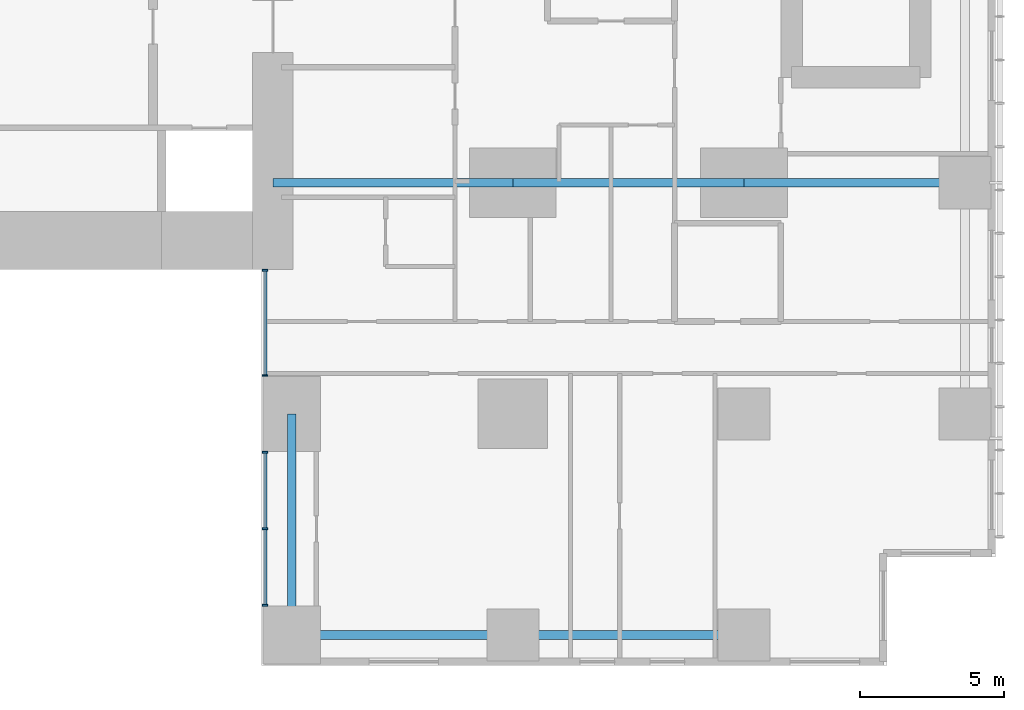
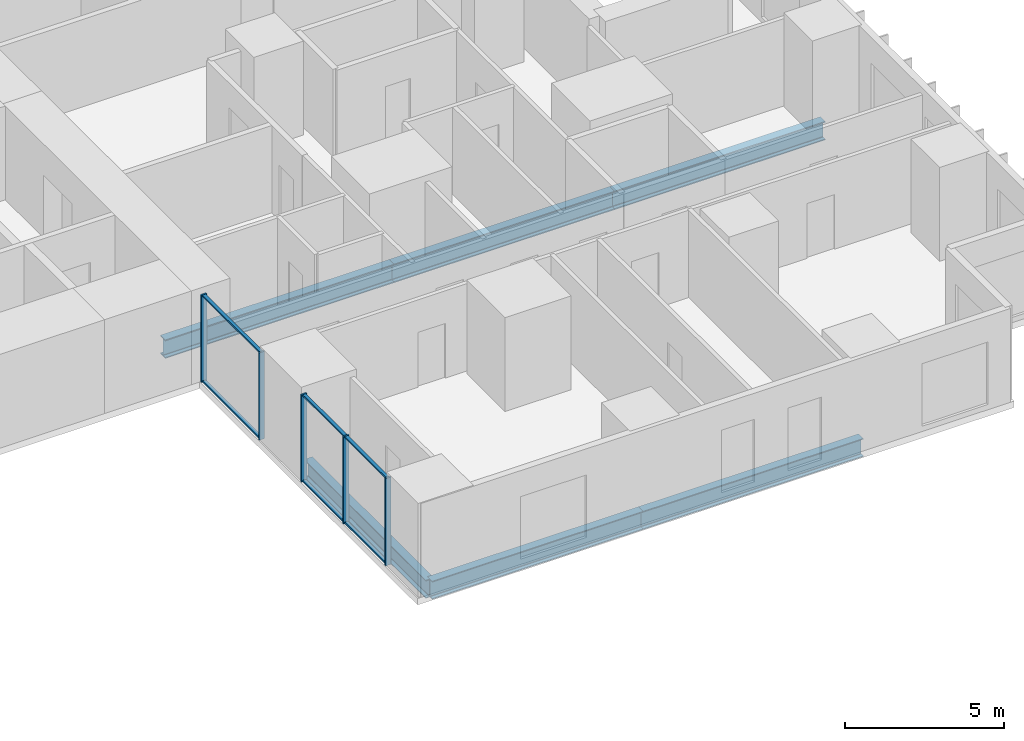
# One storey, part 3 of 20: 11 members, 6 beams, 2 elements without a shape of their own.
"""IFC4 building model written with IfcOpenShell, lengths in metres."""

from ifc_helpers import new_model, si_unit, direction, frame, origin, origin_2d, place, context, subcontext, project, spatial, rectangle, i_section, extrude, material, layer, layer_set, material_profile, profile_set, type_object, element, aggregate, save


model = new_model("IFC4")

# Units and contexts
model_context = context("Model", 3, precision=1e-05, world=origin(), true_north=direction((0.0, 1.0)))
body_context = subcontext(model_context, "Body", "Model", "MODEL_VIEW")
ifc_project = project(units=[si_unit("LENGTHUNIT", "METRE"), si_unit("AREAUNIT", "SQUARE_METRE"), si_unit("VOLUMEUNIT", "CUBIC_METRE"), si_unit("PLANEANGLEUNIT", "RADIAN"), si_unit("MASSUNIT", "GRAM", prefix="KILO")], contexts=[model_context])

# Site, building, storey
site_placement = place(None, origin())
site = spatial("IfcSite", under=ifc_project, at=site_placement, CompositionType="ELEMENT")
building_placement = place(site_placement, origin())
building = spatial("IfcBuilding", under=site, at=building_placement, Name="Cleftline Residences", CompositionType="ELEMENT")
storey_placement = place(building_placement, frame((0.0, 0.0, 189.39990234375)))
storey = spatial("IfcBuildingStorey", under=building, at=storey_placement, Name="L49", CompositionType="ELEMENT", Elevation=189.39990234375)

# Beams
ifc_material_1 = material(Name="Steel S355", Category="steel")
ifc_material_profile_1 = material_profile(ifc_material_1, i_section(OverallWidth=0.300048828125, OverallDepth=0.699951171875, WebThickness=0.01708984375, FlangeThickness=0.031982421875, FilletRadius=0.027099609375, at=origin_2d()))
ifc_profile_set_1 = profile_set([ifc_material_profile_1], Name="Steel S355")
beam_type_1 = type_object("IfcBeamType", Name="BEAM HEB 700", PredefinedType="BEAM", material=ifc_profile_set_1)
beam_1_placement = place(storey_placement, frame((58.0, 0.35009765625, -0.599853515625), z_axis=(-1.0, 0.0, 0.0), x_axis=(0.0, -1.0, 0.0)))
element("IfcBeam", 1, at=beam_1_placement, inside=storey, type_object=beam_type_1, Name="Edge beam", PredefinedType="BEAM", context=body_context, shape_type="SweptSolid", body=[
    extrude(i_section(OverallWidth=0.300048828125, OverallDepth=0.699951171875, WebThickness=0.01708984375, FlangeThickness=0.031982421875, FilletRadius=0.027099609375, at=origin_2d()), origin(), (0.0, 0.0, 1.0), 8.0),
])
for number, where, z_axis, x_axis, name in (
    (2, (50.0, 0.35009765625, -0.599853515625), (-1.0, 0.0, 0.0), (0.0, -1.0, 0.0), "Edge beam"),
    (3, (42.35009765625, 0.35009765625, -0.599853515625), (0.0, 1.0, 0.0), (-1.0, 0.0, 0.0), "Edge beam"),
):
    element("IfcBeam", number, at=place(storey_placement, frame(where, z_axis=z_axis, x_axis=x_axis)), inside=storey, type_object=beam_type_1, Name=name, PredefinedType="BEAM", context=body_context, shape_type="SweptSolid", body=[
        extrude(i_section(OverallWidth=0.300048828125, OverallDepth=0.699951171875, WebThickness=0.01708984375, FlangeThickness=0.031982421875, FilletRadius=0.027099609375, at=origin_2d()), origin(), (0.0, 0.0, 1.0), 7.64990234375),
    ])
ifc_material_2 = material(Name="Steel S355", Category="steel")
ifc_material_profile_2 = material_profile(ifc_material_2, i_section(OverallWidth=0.303955078125, OverallDepth=0.716064453125, WebThickness=0.02099609375, FlangeThickness=0.0400390625, FilletRadius=0.027099609375, at=origin_2d()))
ifc_profile_set_2 = profile_set([ifc_material_profile_2], Name="Steel S355")
beam_type_2 = type_object("IfcBeamType", Name="BEAM HEM 700", PredefinedType="BEAM", material=ifc_profile_set_2)
beam_2_placement = place(storey_placement, frame((65.64990234375, 16.0, -0.60791015625), z_axis=(-1.0, 0.0, 0.0), x_axis=(0.0, -1.0, 0.0)))
element("IfcBeam", 4, at=beam_2_placement, inside=storey, type_object=beam_type_2, Name="Band beam", PredefinedType="BEAM", context=body_context, shape_type="SweptSolid", body=[
    extrude(i_section(OverallWidth=0.303955078125, OverallDepth=0.716064453125, WebThickness=0.02099609375, FlangeThickness=0.0400390625, FilletRadius=0.027099609375, at=origin_2d()), origin(), (0.0, 0.0, 1.0), 7.64990234375),
])
beam_3_placement = place(storey_placement, frame((58.0, 16.0, -0.60791015625), z_axis=(-1.0, 0.0, 0.0), x_axis=(0.0, -1.0, 0.0)))
element("IfcBeam", 5, at=beam_3_placement, inside=storey, type_object=beam_type_2, Name="Band beam", PredefinedType="BEAM", context=body_context, shape_type="SweptSolid", body=[
    extrude(i_section(OverallWidth=0.303955078125, OverallDepth=0.716064453125, WebThickness=0.02099609375, FlangeThickness=0.0400390625, FilletRadius=0.027099609375, at=origin_2d()), origin(), (0.0, 0.0, 1.0), 8.0),
])
beam_4_placement = place(storey_placement, frame((50.0, 16.0, -0.60791015625), z_axis=(-1.0, 0.0, 0.0), x_axis=(0.0, -1.0, 0.0)))
element("IfcBeam", 6, at=beam_4_placement, inside=storey, type_object=beam_type_2, Name="Band beam", PredefinedType="BEAM", context=body_context, shape_type="SweptSolid", body=[
    extrude(i_section(OverallWidth=0.303955078125, OverallDepth=0.716064453125, WebThickness=0.02099609375, FlangeThickness=0.0400390625, FilletRadius=0.027099609375, at=origin_2d()), origin(), (0.0, 0.0, 1.0), 8.300048828125),
])

# Curtain wall, members
ifc_material_3 = material(Name="Aluminium framed curtain wall", Category="aluminium")
ifc_layer = layer(ifc_material_3, 0.199951171875)
ifc_layer_set = layer_set([ifc_layer], Name="CW1 CLEFT GLAZING")
curtain_wall_type = type_object("IfcCurtainWallType", Name="CW1 CLEFT GLAZING", PredefinedType="NOTDEFINED", material=ifc_layer_set)
curtain_wall_1_placement = place(storey_placement, origin())
curtain_wall_1 = element("IfcCurtainWall", 7, at=curtain_wall_1_placement, inside=storey, type_object=curtain_wall_type, Name="Curtain wall CW1", PredefinedType="NOTDEFINED")
ifc_material_4 = material(Name="Aluminium mullion", Category="aluminium")
ifc_material_profile_3 = material_profile(ifc_material_4, rectangle(XDim=0.199951171875, YDim=0.06005859375, at=origin_2d()))
ifc_profile_set_3 = profile_set([ifc_material_profile_3], Name="Aluminium mullion")
member_type_1 = type_object("IfcMemberType", Name="CW1 MULLION", PredefinedType="MULLION", material=ifc_profile_set_3)
member_1_placement = place(storey_placement, frame((41.425048828125, 12.969970703125, 0.0), z_axis=(0.0, 0.0, 1.0), x_axis=(1.0, 0.0, 0.0)))
member_1 = element("IfcMember", 8, at=member_1_placement, type_object=member_type_1, Name="CW1 mullion 1", PredefinedType="MULLION", context=body_context, shape_type="SweptSolid", body=[
    extrude(rectangle(XDim=0.199951171875, YDim=0.06005859375, at=origin_2d()), origin(), (0.0, 0.0, 1.0), 3.35009765625),
])
member_2_placement = place(storey_placement, frame((41.425048828125, 9.330078125, 0.0), z_axis=(0.0, 0.0, 1.0), x_axis=(1.0, 0.0, 0.0)))
member_2 = element("IfcMember", 9, at=member_2_placement, type_object=member_type_1, Name="CW1 mullion 2", PredefinedType="MULLION", context=body_context, shape_type="SweptSolid", body=[
    extrude(rectangle(XDim=0.199951171875, YDim=0.06005859375, at=origin_2d()), origin(), (0.0, 0.0, 1.0), 3.35009765625),
])

curtain_wall_2_placement = place(storey_placement, origin())
curtain_wall_2 = element("IfcCurtainWall", 10, at=curtain_wall_2_placement, inside=storey, type_object=curtain_wall_type, Name="Curtain wall CW1", PredefinedType="NOTDEFINED")
member_3_placement = place(storey_placement, frame((41.425048828125, 6.669921875, 0.0), z_axis=(0.0, 0.0, 1.0), x_axis=(1.0, 0.0, 0.0)))
member_3 = element("IfcMember", 11, at=member_3_placement, type_object=member_type_1, Name="CW1 mullion 1", PredefinedType="MULLION", context=body_context, shape_type="SweptSolid", body=[
    extrude(rectangle(XDim=0.199951171875, YDim=0.06005859375, at=origin_2d()), origin(), (0.0, 0.0, 1.0), 3.35009765625),
])
member_4_placement = place(storey_placement, frame((41.425048828125, 4.02490234375, 0.0), z_axis=(0.0, 0.0, 1.0), x_axis=(1.0, 0.0, 0.0)))
member_4 = element("IfcMember", 12, at=member_4_placement, type_object=member_type_1, Name="CW1 mullion 2", PredefinedType="MULLION", context=body_context, shape_type="SweptSolid", body=[
    extrude(rectangle(XDim=0.199951171875, YDim=0.06005859375, at=origin_2d()), origin(), (0.0, 0.0, 1.0), 3.35009765625),
])
member_5_placement = place(storey_placement, frame((41.425048828125, 1.3798828125, 0.0), z_axis=(0.0, 0.0, 1.0), x_axis=(1.0, 0.0, 0.0)))
member_5 = element("IfcMember", 13, at=member_5_placement, type_object=member_type_1, Name="CW1 mullion 3", PredefinedType="MULLION", context=body_context, shape_type="SweptSolid", body=[
    extrude(rectangle(XDim=0.199951171875, YDim=0.06005859375, at=origin_2d()), origin(), (0.0, 0.0, 1.0), 3.35009765625),
])

# Member
ifc_material_5 = material(Name="Aluminium transom", Category="aluminium")
ifc_material_profile_4 = material_profile(ifc_material_5, rectangle(XDim=0.1201171875, YDim=0.06005859375, at=origin_2d()))
ifc_profile_set_4 = profile_set([ifc_material_profile_4], Name="Aluminium transom")
member_type_2 = type_object("IfcMemberType", Name="CW1 TRANSOM", PredefinedType="USERDEFINED", material=ifc_profile_set_4)
member_6_placement = place(storey_placement, frame((41.425048828125, 12.93994140625, 0.030029296875), z_axis=(0.0, -1.0, 0.0), x_axis=(1.0, 0.0, 0.0)))
member_6 = element("IfcMember", 14, at=member_6_placement, type_object=member_type_2, Name="CW1 transom 1.1", ObjectType="TRANSOM", PredefinedType="USERDEFINED", context=body_context, shape_type="SweptSolid", body=[
    extrude(rectangle(XDim=0.1201171875, YDim=0.06005859375, at=origin_2d()), origin(), (0.0, 0.0, 1.0), 3.579833984375),
])

member_7_placement = place(storey_placement, frame((41.425048828125, 12.93994140625, 3.320068359375), z_axis=(0.0, -1.0, 0.0), x_axis=(1.0, 0.0, 0.0)))
member_7 = element("IfcMember", 15, at=member_7_placement, type_object=member_type_2, Name="CW1 transom 1.2", ObjectType="TRANSOM", PredefinedType="USERDEFINED", context=body_context, shape_type="SweptSolid", body=[
    extrude(rectangle(XDim=0.1201171875, YDim=0.06005859375, at=origin_2d()), origin(), (0.0, 0.0, 1.0), 3.579833984375),
])

aggregate(curtain_wall_1, [member_1, member_2, member_6, member_7])

member_8_placement = place(storey_placement, frame((41.425048828125, 6.639892578125, 0.030029296875), z_axis=(0.0, -1.0, 0.0), x_axis=(1.0, 0.0, 0.0)))
member_8 = element("IfcMember", 16, at=member_8_placement, type_object=member_type_2, Name="CW1 transom 1.1", ObjectType="TRANSOM", PredefinedType="USERDEFINED", context=body_context, shape_type="SweptSolid", body=[
    extrude(rectangle(XDim=0.1201171875, YDim=0.06005859375, at=origin_2d()), origin(), (0.0, 0.0, 1.0), 2.5849609375),
])

member_9_placement = place(storey_placement, frame((41.425048828125, 6.639892578125, 3.320068359375), z_axis=(0.0, -1.0, 0.0), x_axis=(1.0, 0.0, 0.0)))
member_9 = element("IfcMember", 17, at=member_9_placement, type_object=member_type_2, Name="CW1 transom 1.2", ObjectType="TRANSOM", PredefinedType="USERDEFINED", context=body_context, shape_type="SweptSolid", body=[
    extrude(rectangle(XDim=0.1201171875, YDim=0.06005859375, at=origin_2d()), origin(), (0.0, 0.0, 1.0), 2.5849609375),
])

member_10_placement = place(storey_placement, frame((41.425048828125, 3.9951171875, 0.030029296875), z_axis=(0.0, -1.0, 0.0), x_axis=(1.0, 0.0, 0.0)))
member_10 = element("IfcMember", 18, at=member_10_placement, type_object=member_type_2, Name="CW1 transom 2.1", ObjectType="TRANSOM", PredefinedType="USERDEFINED", context=body_context, shape_type="SweptSolid", body=[
    extrude(rectangle(XDim=0.1201171875, YDim=0.06005859375, at=origin_2d()), origin(), (0.0, 0.0, 1.0), 2.585205078125),
])

member_11_placement = place(storey_placement, frame((41.425048828125, 3.9951171875, 3.320068359375), z_axis=(0.0, -1.0, 0.0), x_axis=(1.0, 0.0, 0.0)))
member_11 = element("IfcMember", 19, at=member_11_placement, type_object=member_type_2, Name="CW1 transom 2.2", ObjectType="TRANSOM", PredefinedType="USERDEFINED", context=body_context, shape_type="SweptSolid", body=[
    extrude(rectangle(XDim=0.1201171875, YDim=0.06005859375, at=origin_2d()), origin(), (0.0, 0.0, 1.0), 2.585205078125),
])

aggregate(curtain_wall_2, [member_3, member_4, member_5, member_8, member_9, member_10, member_11])

save(model, "model.ifc")
